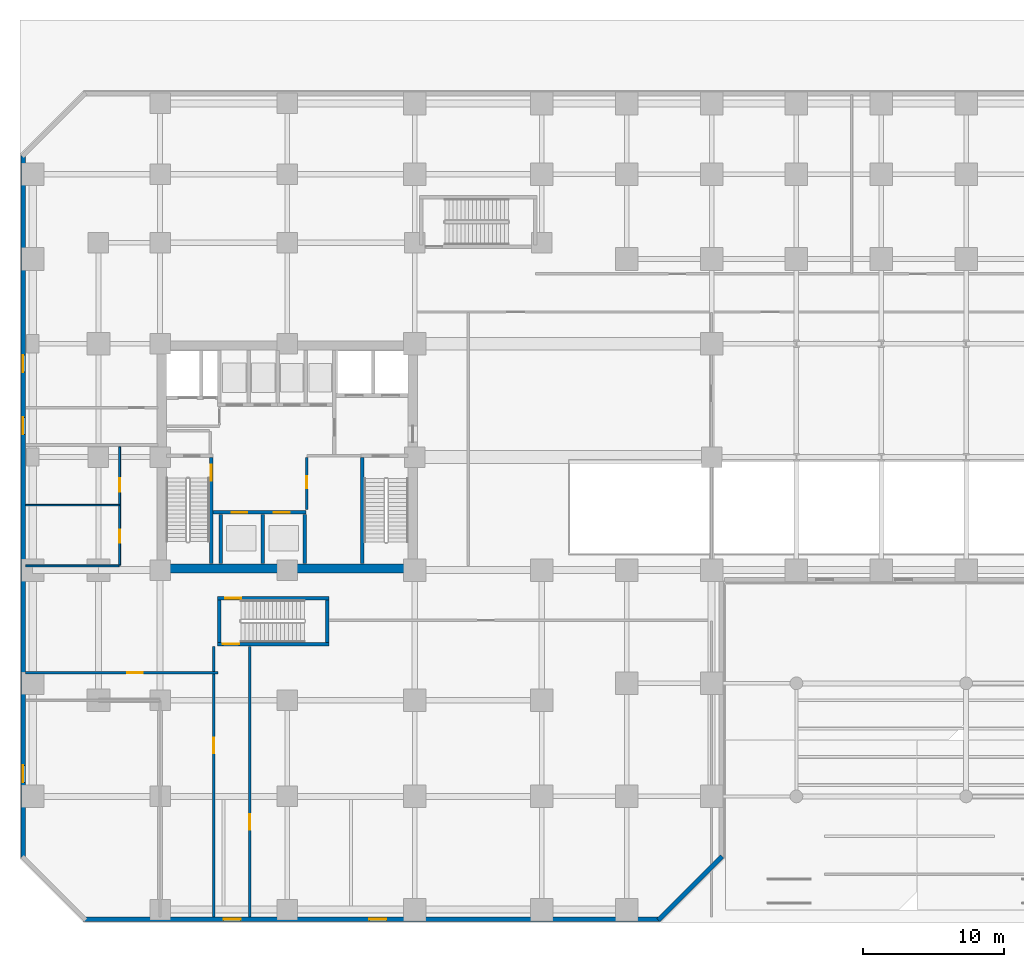
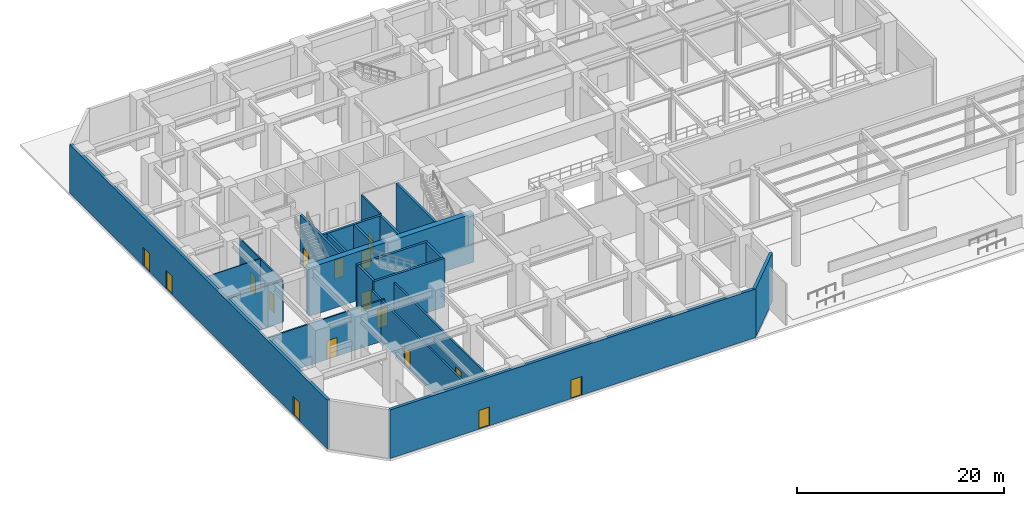
# One storey, part 4 of 13: 21 walls, 16 doors, 16 openings.
"""IFC4 building model written with IfcOpenShell, lengths in metres."""

from ifc_helpers import new_model, si_unit, direction, frame, frame_2d, origin, place, context, subcontext, project, spatial, rectangle, extrude, source, transform, mapped, material, layer, layer_set, type_object, element, fill, save


model = new_model("IFC4")

# Units and contexts
model_context = context("Model", 3, precision=1e-05, world=origin(), true_north=direction((0.0, 1.0)))
body_context = subcontext(model_context, "Body", "Model", "MODEL_VIEW")
ifc_project = project(units=[si_unit("LENGTHUNIT", "METRE"), si_unit("AREAUNIT", "SQUARE_METRE"), si_unit("VOLUMEUNIT", "CUBIC_METRE"), si_unit("PLANEANGLEUNIT", "RADIAN"), si_unit("MASSUNIT", "GRAM", prefix="KILO")], contexts=[model_context])

# Site, building, storey
site_placement = place(None, origin())
site = spatial("IfcSite", under=ifc_project, at=site_placement, CompositionType="ELEMENT")
building_placement = place(site_placement, origin())
building = spatial("IfcBuilding", under=site, at=building_placement, Name="Torre Montelarca", CompositionType="ELEMENT")
storey_placement = place(building_placement, origin())
storey = spatial("IfcBuildingStorey", under=building, at=storey_placement, Name="L01", CompositionType="ELEMENT", Elevation=0.0)

# Wall, opening, door
ifc_material_1 = material(Name="Concrete C40/50", Category="concrete")
ifc_layer_1 = layer(ifc_material_1, 0.25, Name="Concrete C40/50", Category="concrete")
ifc_layer_set_1 = layer_set([ifc_layer_1], Name="Concrete C40/50")
wall_type_1 = type_object("IfcWallType", Name="CW-SHAFT-250", PredefinedType="SHEAR", material=ifc_layer_set_1)
wall_1_placement = place(storey_placement, frame((12.625, 24.4599609375, 0.0), z_axis=(0.0, 0.0, 1.0), x_axis=(0.0, 1.0, 0.0)))
wall_1 = element("IfcWall", 1, at=wall_1_placement, inside=storey, type_object=wall_type_1, Name="L01 Core Shear Wall SH-ST1-E", PredefinedType="SHEAR", context=body_context, shape_type="SweptSolid", body=[
    extrude(rectangle(XDim=7.489990234375, YDim=0.25, at=frame_2d((3.7451171875, 0.0))), origin(), (0.0, 0.0, 1.0), 5.739990234375),
])
opening_1_placement = place(wall_1_placement, frame((5.85009765625, 0.0, 0.0)))
opening_1 = element("IfcOpeningElement", 2, at=opening_1_placement, cuts=wall_1, Name="Opening FD-ST1", PredefinedType="OPENING", context=body_context, shape_type="SweptSolid", body=[
    extrude(rectangle(XDim=1.14990234375, YDim=2.199951171875, at=frame_2d((0.574951171875, 1.10009765625))), frame((0.0, 0.135009765625, 0.0), z_axis=(0.0, -1.0, 0.0), x_axis=(1.0, 0.0, 0.0)), (0.0, 0.0, 1.0), 0.27001953125),
])
ifc_material_2 = material(Name="Galvanized steel fire door", Category="steel")
door_type_1 = type_object("IfcDoorType", Name="DR-STAIR-115", OperationType="NOTDEFINED", PredefinedType="DOOR", material=ifc_material_2)
shared_shape_1 = source(origin(), body_context, "Body", "SweptSolid", [
    extrude(rectangle(XDim=1.14990234375, YDim=2.199951171875, at=frame_2d((0.574951171875, 1.10009765625))), frame((0.0, 0.02490234375, 0.0), z_axis=(0.0, -1.0, 0.0), x_axis=(1.0, 0.0, 0.0)), (0.0, 0.0, 1.0), 0.050048828125),
])
door_1_placement = place(opening_1_placement, origin())
door_1 = element("IfcDoor", 3, at=door_1_placement, inside=storey, type_object=door_type_1, Name="L01 Exit Stair ST1 Fire Door", OperationType="SINGLE_SWING_RIGHT", OverallHeight=2.199951171875, OverallWidth=1.14990234375, PredefinedType="DOOR", context=body_context, shape_type="MappedRepresentation", body=[
    mapped(shared_shape_1, transform((0.0, 0.0, 0.0), scale=1.0)),
])
fill(opening_1, door_1)

# Wall
wall_2_placement = place(storey_placement, frame((23.31494140625, 24.4599609375, 0.0), z_axis=(0.0, 0.0, 1.0), x_axis=(0.0, 1.0, 0.0)))
element("IfcWall", 4, at=wall_2_placement, inside=storey, type_object=wall_type_1, Name="L01 Core Shear Wall SH-ST2-W", PredefinedType="SHEAR", context=body_context, shape_type="SweptSolid", body=[
    extrude(rectangle(XDim=7.489990234375, YDim=0.25, at=frame_2d((3.7451171875, 0.0))), origin(), (0.0, 0.0, 1.0), 5.739990234375),
])

# Wall, openings, doors
wall_3_placement = place(storey_placement, frame((12.6298828125, 28.080078125, 0.0), z_axis=(0.0, 0.0, 1.0), x_axis=(1.0, 0.0, 0.0)))
wall_3 = element("IfcWall", 5, at=wall_3_placement, inside=storey, type_object=wall_type_1, Name="L01 Core Shear Wall SH-PLL-N", PredefinedType="SHEAR", context=body_context, shape_type="SweptSolid", body=[
    extrude(rectangle(XDim=6.710205078125, YDim=0.25, at=frame_2d((3.35498046875, 0.0))), origin(), (0.0, 0.0, 1.0), 5.739990234375),
])
opening_2_placement = place(wall_3_placement, frame((1.429931640625, 0.0, 0.0)))
opening_2 = element("IfcOpeningElement", 6, at=opening_2_placement, cuts=wall_3, Name="Opening LD-110", PredefinedType="OPENING", context=body_context, shape_type="SweptSolid", body=[
    extrude(rectangle(XDim=1.10009765625, YDim=2.199951171875, at=frame_2d((0.550048828125, 1.10009765625))), frame((0.0, 0.135009765625, 0.0), z_axis=(0.0, -1.0, 0.0), x_axis=(1.0, 0.0, 0.0)), (0.0, 0.0, 1.0), 0.27001953125),
])
opening_3_placement = place(wall_3_placement, frame((4.429931640625, 0.0, 0.0)))
opening_3 = element("IfcOpeningElement", 7, at=opening_3_placement, cuts=wall_3, Name="Opening LD-110", PredefinedType="OPENING", context=body_context, shape_type="SweptSolid", body=[
    extrude(rectangle(XDim=1.10009765625, YDim=2.199951171875, at=frame_2d((0.550048828125, 1.10009765625))), frame((0.0, 0.135009765625, 0.0), z_axis=(0.0, -1.0, 0.0), x_axis=(1.0, 0.0, 0.0)), (0.0, 0.0, 1.0), 0.27001953125),
])
ifc_material_3 = material(Name="Brushed stainless steel AISI 316", Category="steel")
door_type_2 = type_object("IfcDoorType", Name="DR-LIFT-110", OperationType="SLIDING_TO_LEFT", PredefinedType="DOOR", material=ifc_material_3)
shared_shape_2 = source(origin(), body_context, "Body", "SweptSolid", [
    extrude(rectangle(XDim=1.10009765625, YDim=2.199951171875, at=frame_2d((0.550048828125, 1.10009765625))), frame((0.0, 0.02490234375, 0.0), z_axis=(0.0, -1.0, 0.0), x_axis=(1.0, 0.0, 0.0)), (0.0, 0.0, 1.0), 0.050048828125),
])
door_2_placement = place(opening_2_placement, origin())
door_2 = element("IfcDoor", 8, at=door_2_placement, inside=storey, type_object=door_type_2, Name="L01 Lift Landing Sliding Door PL-L1", OperationType="SLIDING_TO_LEFT", OverallHeight=2.199951171875, OverallWidth=1.10009765625, PredefinedType="DOOR", context=body_context, shape_type="MappedRepresentation", body=[
    mapped(shared_shape_2, transform((0.0, 0.0, 0.0), scale=1.0)),
])
fill(opening_2, door_2)
door_3_placement = place(opening_3_placement, origin())
door_3 = element("IfcDoor", 9, at=door_3_placement, inside=storey, type_object=door_type_2, Name="L01 Lift Landing Sliding Door PL-L2", OperationType="SLIDING_TO_RIGHT", OverallHeight=2.199951171875, OverallWidth=1.10009765625, PredefinedType="DOOR", context=body_context, shape_type="MappedRepresentation", body=[
    mapped(shared_shape_2, transform((0.0, 0.0, 0.0), scale=1.0)),
])
fill(opening_3, door_3)

# Walls
for number, where, z_axis, x_axis, name in (
    (10, (13.280029296875, 24.4599609375, 0.0), (0.0, 0.0, 1.0), (0.0, 1.0, 0.0), "L01 Core Shear Wall SH-PLL-W"),
    (11, (16.25, 24.4599609375, 0.0), (0.0, 0.0, 1.0), (0.0, 1.0, 0.0), "L01 Core Shear Wall SH-PLL-M"),
    (12, (19.219970703125, 24.4599609375, 0.0), (0.0, 0.0, 1.0), (0.0, 1.0, 0.0), "L01 Core Shear Wall SH-PLL-E"),
):
    element("IfcWall", number, at=place(storey_placement, frame(where, z_axis=z_axis, x_axis=x_axis)), inside=storey, type_object=wall_type_1, Name=name, PredefinedType="SHEAR", context=body_context, shape_type="SweptSolid", body=[
        extrude(rectangle(XDim=3.489990234375, YDim=0.25, at=frame_2d((1.7451171875, 0.0))), origin(), (0.0, 0.0, 1.0), 5.739990234375),
    ])
for number, where, z_axis, x_axis, name in (
    (13, (13.175048828125, 18.89990234375, 0.0), (0.0, 0.0, 1.0), (0.0, 1.0, 0.0), "L01 Core Shear Wall SH-ST3-W"),
    (14, (20.824951171875, 18.89990234375, 0.0), (0.0, 0.0, 1.0), (0.0, 1.0, 0.0), "L01 Core Shear Wall SH-ST3-E"),
):
    element("IfcWall", number, at=place(storey_placement, frame(where, z_axis=z_axis, x_axis=x_axis)), inside=storey, type_object=wall_type_1, Name=name, PredefinedType="SHEAR", context=body_context, shape_type="SweptSolid", body=[
        extrude(rectangle(XDim=2.989990234375, YDim=0.25, at=frame_2d((1.4951171875, 0.0))), origin(), (0.0, 0.0, 1.0), 5.739990234375),
    ])

# Wall, opening, door
wall_4_placement = place(storey_placement, frame((13.050048828125, 18.77490234375, 0.0), z_axis=(0.0, 0.0, 1.0), x_axis=(1.0, 0.0, 0.0)))
wall_4 = element("IfcWall", 15, at=wall_4_placement, inside=storey, type_object=wall_type_1, Name="L01 Core Shear Wall SH-ST3-S", PredefinedType="SHEAR", context=body_context, shape_type="SweptSolid", body=[
    extrude(rectangle(XDim=7.89990234375, YDim=0.25, at=frame_2d((3.949951171875, 0.0))), origin(), (0.0, 0.0, 1.0), 5.739990234375),
])
opening_4_placement = place(wall_4_placement, frame((0.39990234375, 0.0, 0.0)))
opening_4 = element("IfcOpeningElement", 16, at=opening_4_placement, cuts=wall_4, Name="Opening FD-ST1", PredefinedType="OPENING", context=body_context, shape_type="SweptSolid", body=[
    extrude(rectangle(XDim=1.14990234375, YDim=2.199951171875, at=frame_2d((0.574951171875, 1.10009765625))), frame((0.0, 0.135009765625, 0.0), z_axis=(0.0, -1.0, 0.0), x_axis=(1.0, 0.0, 0.0)), (0.0, 0.0, 1.0), 0.27001953125),
])
door_4_placement = place(opening_4_placement, origin())
door_4 = element("IfcDoor", 17, at=door_4_placement, inside=storey, type_object=door_type_1, Name="L01 Exit Stair ST3 Protected Discharge Door", OperationType="SINGLE_SWING_RIGHT", OverallHeight=2.199951171875, OverallWidth=1.14990234375, PredefinedType="DOOR", context=body_context, shape_type="MappedRepresentation", body=[
    mapped(shared_shape_1, transform((0.0, 0.0, 0.0), scale=1.0)),
])
fill(opening_4, door_4)

wall_5_placement = place(storey_placement, frame((13.050048828125, 22.014892578125, 0.0), z_axis=(0.0, 0.0, 1.0), x_axis=(1.0, 0.0, 0.0)))
wall_5 = element("IfcWall", 18, at=wall_5_placement, inside=storey, type_object=wall_type_1, Name="L01 Core Shear Wall SH-ST3-N", PredefinedType="SHEAR", context=body_context, shape_type="SweptSolid", body=[
    extrude(rectangle(XDim=7.89990234375, YDim=0.25, at=frame_2d((3.949951171875, 0.0))), origin(), (0.0, 0.0, 1.0), 5.739990234375),
])
opening_5_placement = place(wall_5_placement, frame((0.550048828125, 0.0, 0.0)))
opening_5 = element("IfcOpeningElement", 19, at=opening_5_placement, cuts=wall_5, Name="Opening FD-ST1", PredefinedType="OPENING", context=body_context, shape_type="SweptSolid", body=[
    extrude(rectangle(XDim=1.14990234375, YDim=2.199951171875, at=frame_2d((0.574951171875, 1.10009765625))), frame((0.0, 0.135009765625, 0.0), z_axis=(0.0, -1.0, 0.0), x_axis=(1.0, 0.0, 0.0)), (0.0, 0.0, 1.0), 0.27001953125),
])
door_5_placement = place(opening_5_placement, origin())
door_5 = element("IfcDoor", 20, at=door_5_placement, inside=storey, type_object=door_type_1, Name="L01 Exit Stair ST3 Fire Door", OperationType="SINGLE_SWING_LEFT", OverallHeight=2.199951171875, OverallWidth=1.14990234375, PredefinedType="DOOR", context=body_context, shape_type="MappedRepresentation", body=[
    mapped(shared_shape_1, transform((0.0, 0.0, 0.0), scale=1.0)),
])
fill(opening_5, door_5)

# Wall
ifc_material_4 = material(Name="Concrete C70/85", Category="concrete")
ifc_layer_2 = layer(ifc_material_4, 0.64990234375, Name="Concrete C70/85", Category="concrete")
ifc_layer_set_2 = layer_set([ifc_layer_2], Name="Concrete C70/85")
wall_type_2 = type_object("IfcWallType", Name="CW-SHEAR-650", PredefinedType="SHEAR", material=ifc_layer_set_2)
wall_6_placement = place(storey_placement, frame((8.800048828125, 24.125, 0.0), z_axis=(0.0, 0.0, 1.0), x_axis=(1.0, 0.0, 0.0)))
element("IfcWall", 21, at=wall_6_placement, inside=storey, type_object=wall_type_2, Name="L01 Core Shear Wall CW-S1", PredefinedType="SHEAR", context=body_context, shape_type="SweptSolid", body=[
    extrude(rectangle(XDim=18.39990234375, YDim=0.64990234375, at=frame_2d((9.199951171875, 0.0))), origin(), (0.0, 0.0, 1.0), 5.739990234375),
])

# Wall, openings, doors
ifc_material_5 = material(Name="Precast concrete C45/55", Category="concrete")
ifc_layer_3 = layer(ifc_material_5, 0.320068359375, Name="Precast concrete C45/55", Category="concrete")
ifc_layer_set_3 = layer_set([ifc_layer_3], Name="Precast concrete C45/55")
wall_type_3 = type_object("IfcWallType", Name="EW-CONC-320", PredefinedType="SOLIDWALL", material=ifc_layer_set_3)
wall_7_placement = place(storey_placement, frame((44.39990234375, -0.679931640625, 0.0), z_axis=(0.0, 0.0, 1.0), x_axis=(-1.0, 0.0, 0.0)))
wall_7 = element("IfcWall", 22, at=wall_7_placement, inside=storey, type_object=wall_type_3, Name="L01 Podium Precast Concrete Wall E01", PredefinedType="SOLIDWALL", context=body_context, shape_type="SweptSolid", body=[
    extrude(rectangle(XDim=40.7998046875, YDim=0.320068359375, at=frame_2d((20.39990234375, 0.0))), origin(), (0.0, 0.0, 1.0), 5.739990234375),
])
opening_6_placement = place(wall_7_placement, frame((29.699951171875, 0.0, 0.0)))
opening_6 = element("IfcOpeningElement", 23, at=opening_6_placement, cuts=wall_7, Name="Opening ED-02", PredefinedType="OPENING", context=body_context, shape_type="SweptSolid", body=[
    extrude(rectangle(XDim=1.199951171875, YDim=2.199951171875, at=frame_2d((0.60009765625, 1.10009765625))), frame((0.0, 0.169921875, 0.0), z_axis=(0.0, -1.0, 0.0), x_axis=(1.0, 0.0, 0.0)), (0.0, 0.0, 1.0), 0.340087890625),
])
opening_7_placement = place(wall_7_placement, frame((19.39990234375, 0.0, 0.0)))
opening_7 = element("IfcOpeningElement", 24, at=opening_7_placement, cuts=wall_7, Name="Opening ED-02", PredefinedType="OPENING", context=body_context, shape_type="SweptSolid", body=[
    extrude(rectangle(XDim=1.199951171875, YDim=2.199951171875, at=frame_2d((0.60009765625, 1.10009765625))), frame((0.0, 0.169921875, 0.0), z_axis=(0.0, -1.0, 0.0), x_axis=(1.0, 0.0, 0.0)), (0.0, 0.0, 1.0), 0.340087890625),
])
ifc_material_6 = material(Name="Powder-coated galvanized steel and safety glass", Category="steel")
door_type_3 = type_object("IfcDoorType", Name="DR-EXT-EXIT", OperationType="NOTDEFINED", PredefinedType="DOOR", material=ifc_material_6)
shared_shape_3 = source(origin(), body_context, "Body", "SweptSolid", [
    extrude(rectangle(XDim=1.199951171875, YDim=2.199951171875, at=frame_2d((0.60009765625, 1.10009765625))), frame((0.0, 0.02490234375, 0.0), z_axis=(0.0, -1.0, 0.0), x_axis=(1.0, 0.0, 0.0)), (0.0, 0.0, 1.0), 0.050048828125),
])
door_6_placement = place(opening_6_placement, origin())
door_6 = element("IfcDoor", 25, at=door_6_placement, inside=storey, type_object=door_type_3, Name="L01 ST3 Protected Passageway Exterior Exit Door", OperationType="SINGLE_SWING_LEFT", OverallHeight=2.199951171875, OverallWidth=1.199951171875, PredefinedType="DOOR", context=body_context, shape_type="MappedRepresentation", body=[
    mapped(shared_shape_3, transform((0.0, 0.0, 0.0), scale=1.0)),
])
fill(opening_6, door_6)
door_7_placement = place(opening_7_placement, origin())
door_7 = element("IfcDoor", 26, at=door_7_placement, inside=storey, type_object=door_type_3, Name="L01 Retail Plaza Entrance Door", OperationType="SINGLE_SWING_RIGHT", OverallHeight=2.199951171875, OverallWidth=1.199951171875, PredefinedType="DOOR", context=body_context, shape_type="MappedRepresentation", body=[
    mapped(shared_shape_3, transform((0.0, 0.0, 0.0), scale=1.0)),
])
fill(opening_7, door_7)

# Wall
wall_8_placement = place(storey_placement, frame((44.244384765625, -0.744384765625, 0.0), z_axis=(0.0, 0.0, 1.0), x_axis=(0.707106781187, 0.707106781187, 0.0)))
element("IfcWall", 27, at=wall_8_placement, inside=storey, type_object=wall_type_3, Name="L01 Podium Precast Concrete Wall E02", PredefinedType="SOLIDWALL", context=body_context, shape_type="SweptSolid", body=[
    extrude(rectangle(XDim=6.364013671875, YDim=0.320068359375, at=frame_2d((3.18212890625, 0.0))), origin(), (0.0, 0.0, 1.0), 5.739990234375),
])

# Wall, openings, doors
wall_9_placement = place(storey_placement, frame((-0.679931640625, 3.60009765625, 0.0), z_axis=(0.0, 0.0, 1.0), x_axis=(0.0, 1.0, 0.0)))
wall_9 = element("IfcWall", 28, at=wall_9_placement, inside=storey, type_object=wall_type_3, Name="L01 Podium Precast Concrete Wall E10", PredefinedType="SOLIDWALL", context=body_context, shape_type="SweptSolid", body=[
    extrude(rectangle(XDim=49.7998046875, YDim=0.320068359375, at=frame_2d((24.89990234375, 0.0))), origin(), (0.0, 0.0, 1.0), 5.739990234375),
])
opening_8_placement = place(wall_9_placement, frame((34.39990234375, 0.0, 0.0)))
opening_8 = element("IfcOpeningElement", 29, at=opening_8_placement, cuts=wall_9, Name="Opening ED-02", PredefinedType="OPENING", context=body_context, shape_type="SweptSolid", body=[
    extrude(rectangle(XDim=1.199951171875, YDim=2.199951171875, at=frame_2d((0.60009765625, 1.10009765625))), frame((0.0, 0.169921875, 0.0), z_axis=(0.0, -1.0, 0.0), x_axis=(1.0, 0.0, 0.0)), (0.0, 0.0, 1.0), 0.340087890625),
])
opening_9_placement = place(wall_9_placement, frame((30.0, 0.0, 0.0)))
opening_9 = element("IfcOpeningElement", 30, at=opening_9_placement, cuts=wall_9, Name="Opening ED-02", PredefinedType="OPENING", context=body_context, shape_type="SweptSolid", body=[
    extrude(rectangle(XDim=1.199951171875, YDim=2.199951171875, at=frame_2d((0.60009765625, 1.10009765625))), frame((0.0, 0.169921875, 0.0), z_axis=(0.0, -1.0, 0.0), x_axis=(1.0, 0.0, 0.0)), (0.0, 0.0, 1.0), 0.340087890625),
])
opening_10_placement = place(wall_9_placement, frame((5.39990234375, 0.0, 0.0)))
opening_10 = element("IfcOpeningElement", 31, at=opening_10_placement, cuts=wall_9, Name="Opening ED-02", PredefinedType="OPENING", context=body_context, shape_type="SweptSolid", body=[
    extrude(rectangle(XDim=1.199951171875, YDim=2.199951171875, at=frame_2d((0.60009765625, 1.10009765625))), frame((0.0, 0.169921875, 0.0), z_axis=(0.0, -1.0, 0.0), x_axis=(1.0, 0.0, 0.0)), (0.0, 0.0, 1.0), 0.340087890625),
])
door_8_placement = place(opening_8_placement, origin())
door_8 = element("IfcDoor", 32, at=door_8_placement, inside=storey, type_object=door_type_3, Name="L01 Fire Command Centre Direct Exterior Door", OperationType="SINGLE_SWING_LEFT", OverallHeight=2.199951171875, OverallWidth=1.199951171875, PredefinedType="DOOR", context=body_context, shape_type="MappedRepresentation", body=[
    mapped(shared_shape_3, transform((0.0, 0.0, 0.0), scale=1.0)),
])
fill(opening_8, door_8)
door_9_placement = place(opening_9_placement, origin())
door_9 = element("IfcDoor", 33, at=door_9_placement, inside=storey, type_object=door_type_3, Name="L01 ST1 Protected Passageway Exterior Exit Door", OperationType="SINGLE_SWING_LEFT", OverallHeight=2.199951171875, OverallWidth=1.199951171875, PredefinedType="DOOR", context=body_context, shape_type="MappedRepresentation", body=[
    mapped(shared_shape_3, transform((0.0, 0.0, 0.0), scale=1.0)),
])
fill(opening_9, door_9)
door_10_placement = place(opening_10_placement, origin())
door_10 = element("IfcDoor", 34, at=door_10_placement, inside=storey, type_object=door_type_3, Name="L01 Bookstore & Cafe Street Entrance Door", OperationType="SINGLE_SWING_LEFT", OverallHeight=2.199951171875, OverallWidth=1.199951171875, PredefinedType="DOOR", context=body_context, shape_type="MappedRepresentation", body=[
    mapped(shared_shape_3, transform((0.0, 0.0, 0.0), scale=1.0)),
])
fill(opening_10, door_10)

# Wall, opening, door
ifc_material_7 = material(Name="Gypsum plasterboard on steel stud", Category="steel")
ifc_layer_4 = layer(ifc_material_7, 0.159912109375, Name="Gypsum plasterboard on steel stud", Category="steel")
ifc_layer_set_4 = layer_set([ifc_layer_4], Name="Gypsum plasterboard on steel stud")
wall_type_4 = type_object("IfcWallType", Name="PW-FIRE-160", PredefinedType="PARTITIONING", material=ifc_layer_set_4)
wall_10_placement = place(storey_placement, frame((19.3798828125, 28.2900390625, 0.0), z_axis=(0.0, 0.0, 1.0), x_axis=(0.0, 1.0, 0.0)))
wall_10 = element("IfcWall", 35, at=wall_10_placement, inside=storey, type_object=wall_type_4, Name="L01 Interior Partition CW-L01-SEW", PredefinedType="PARTITIONING", context=body_context, shape_type="SweptSolid", body=[
    extrude(rectangle(XDim=3.669921875, YDim=0.159912109375, at=frame_2d((1.8349609375, 0.0))), origin(), (0.0, 0.0, 1.0), 5.739990234375),
])
opening_11_placement = place(wall_10_placement, frame((1.5, 0.0, 0.0)))
opening_11 = element("IfcOpeningElement", 36, at=opening_11_placement, cuts=wall_10, Name="Opening FD-085", PredefinedType="OPENING", context=body_context, shape_type="SweptSolid", body=[
    extrude(rectangle(XDim=0.85009765625, YDim=2.10009765625, at=frame_2d((0.425048828125, 1.050048828125))), frame((0.0, 0.08984375, 0.0), z_axis=(0.0, -1.0, 0.0), x_axis=(1.0, 0.0, 0.0)), (0.0, 0.0, 1.0), 0.179931640625),
])
ifc_material_8 = material(Name="Steel riser access fire door", Category="steel")
door_type_4 = type_object("IfcDoorType", Name="DR-RISER-085", OperationType="NOTDEFINED", PredefinedType="DOOR", material=ifc_material_8)
shared_shape_4 = source(origin(), body_context, "Body", "SweptSolid", [
    extrude(rectangle(XDim=0.85009765625, YDim=2.10009765625, at=frame_2d((0.425048828125, 1.050048828125))), frame((0.0, 0.02490234375, 0.0), z_axis=(0.0, -1.0, 0.0), x_axis=(1.0, 0.0, 0.0)), (0.0, 0.0, 1.0), 0.050048828125),
])
door_11_placement = place(opening_11_placement, origin())
door_11 = element("IfcDoor", 37, at=door_11_placement, inside=storey, type_object=door_type_4, Name="L01 Interior Door 02", OperationType="SINGLE_SWING_RIGHT", OverallHeight=2.10009765625, OverallWidth=0.85009765625, PredefinedType="DOOR", context=body_context, shape_type="MappedRepresentation", body=[
    mapped(shared_shape_4, transform((0.0, 0.0, 0.0), scale=1.0)),
])
fill(opening_11, door_11)

wall_11_placement = place(storey_placement, frame((-0.510009765625, 16.75, 0.0), z_axis=(0.0, 0.0, 1.0), x_axis=(1.0, 0.0, 0.0)))
wall_11 = element("IfcWall", 38, at=wall_11_placement, inside=storey, type_object=wall_type_4, Name="L01 Interior Partition W-L01-CSW", PredefinedType="PARTITIONING", context=body_context, shape_type="SweptSolid", body=[
    extrude(rectangle(XDim=13.6201171875, YDim=0.159912109375, at=frame_2d((6.81005859375, 0.0))), origin(), (0.0, 0.0, 1.0), 4.869384765625),
])
opening_12_placement = place(wall_11_placement, frame((7.199951171875, 0.0, 0.0)))
opening_12 = element("IfcOpeningElement", 39, at=opening_12_placement, cuts=wall_11, Name="Opening FD-110", PredefinedType="OPENING", context=body_context, shape_type="SweptSolid", body=[
    extrude(rectangle(XDim=1.10009765625, YDim=2.199951171875, at=frame_2d((0.550048828125, 1.10009765625))), frame((0.0, 0.08984375, 0.0), z_axis=(0.0, -1.0, 0.0), x_axis=(1.0, 0.0, 0.0)), (0.0, 0.0, 1.0), 0.179931640625),
])
ifc_material_9 = material(Name="Timber fire-rated suite door", Category="wood")
door_type_5 = type_object("IfcDoorType", Name="DR-FIRE-110", OperationType="NOTDEFINED", PredefinedType="DOOR", material=ifc_material_9)
shared_shape_5 = source(origin(), body_context, "Body", "SweptSolid", [
    extrude(rectangle(XDim=1.10009765625, YDim=2.199951171875, at=frame_2d((0.550048828125, 1.10009765625))), frame((0.0, 0.02490234375, 0.0), z_axis=(0.0, -1.0, 0.0), x_axis=(1.0, 0.0, 0.0)), (0.0, 0.0, 1.0), 0.050048828125),
])
door_12_placement = place(opening_12_placement, origin())
door_12 = element("IfcDoor", 40, at=door_12_placement, inside=storey, type_object=door_type_5, Name="L01 Interior Door 05", OperationType="SINGLE_SWING_LEFT", OverallHeight=2.199951171875, OverallWidth=1.10009765625, PredefinedType="DOOR", context=body_context, shape_type="MappedRepresentation", body=[
    mapped(shared_shape_5, transform((0.0, 0.0, 0.0), scale=1.0)),
])
fill(opening_12, door_12)

ifc_material_10 = material(Name="Gypsum fireboard and rockwool on steel stud", Category="steel")
ifc_layer_5 = layer(ifc_material_10, 0.199951171875, Name="Gypsum fireboard and rockwool on steel stud", Category="steel")
ifc_layer_set_5 = layer_set([ifc_layer_5], Name="Gypsum fireboard and rockwool on steel stud")
wall_type_5 = type_object("IfcWallType", Name="PW-FIRE-200", PredefinedType="SOLIDWALL", material=ifc_layer_set_5)
wall_12_placement = place(storey_placement, frame((12.800048828125, -0.510009765625, 0.0), z_axis=(0.0, 0.0, 1.0), x_axis=(0.0, 1.0, 0.0)))
wall_12 = element("IfcWall", 41, at=wall_12_placement, inside=storey, type_object=wall_type_5, Name="L01 Interior Partition W-L01-EXPS-W", PredefinedType="SOLIDWALL", context=body_context, shape_type="SweptSolid", body=[
    extrude(rectangle(XDim=19.1201171875, YDim=0.199951171875, at=frame_2d((9.56005859375, 0.0))), origin(), (0.0, 0.0, 1.0), 4.869384765625),
])
opening_13_placement = place(wall_12_placement, frame((11.550048828125, 0.0, 0.0)))
opening_13 = element("IfcOpeningElement", 42, at=opening_13_placement, cuts=wall_12, Name="Opening FD-110", PredefinedType="OPENING", context=body_context, shape_type="SweptSolid", body=[
    extrude(rectangle(XDim=1.10009765625, YDim=2.199951171875, at=frame_2d((0.550048828125, 1.10009765625))), frame((0.0, 0.10986328125, 0.0), z_axis=(0.0, -1.0, 0.0), x_axis=(1.0, 0.0, 0.0)), (0.0, 0.0, 1.0), 0.219970703125),
])
door_13_placement = place(opening_13_placement, origin())
door_13 = element("IfcDoor", 43, at=door_13_placement, inside=storey, type_object=door_type_5, Name="L01 Interior Door 15", OperationType="SINGLE_SWING_LEFT", OverallHeight=2.199951171875, OverallWidth=1.10009765625, PredefinedType="DOOR", context=body_context, shape_type="MappedRepresentation", body=[
    mapped(shared_shape_5, transform((0.0, 0.0, 0.0), scale=1.0)),
])
fill(opening_13, door_13)

wall_13_placement = place(storey_placement, frame((15.35009765625, -0.510009765625, 0.0), z_axis=(0.0, 0.0, 1.0), x_axis=(0.0, 1.0, 0.0)))
wall_13 = element("IfcWall", 44, at=wall_13_placement, inside=storey, type_object=wall_type_5, Name="L01 Interior Partition W-L01-EXPS-E", PredefinedType="SOLIDWALL", context=body_context, shape_type="SweptSolid", body=[
    extrude(rectangle(XDim=19.1201171875, YDim=0.199951171875, at=frame_2d((9.56005859375, 0.0))), origin(), (0.0, 0.0, 1.0), 4.869384765625),
])
opening_14_placement = place(wall_13_placement, frame((6.14990234375, 0.0, 0.0)))
opening_14 = element("IfcOpeningElement", 45, at=opening_14_placement, cuts=wall_13, Name="Opening FD-110", PredefinedType="OPENING", context=body_context, shape_type="SweptSolid", body=[
    extrude(rectangle(XDim=1.10009765625, YDim=2.199951171875, at=frame_2d((0.550048828125, 1.10009765625))), frame((0.0, 0.10986328125, 0.0), z_axis=(0.0, -1.0, 0.0), x_axis=(1.0, 0.0, 0.0)), (0.0, 0.0, 1.0), 0.219970703125),
])
door_14_placement = place(opening_14_placement, origin())
door_14 = element("IfcDoor", 46, at=door_14_placement, inside=storey, type_object=door_type_5, Name="L01 Interior Door 16", OperationType="SINGLE_SWING_RIGHT", OverallHeight=2.199951171875, OverallWidth=1.10009765625, PredefinedType="DOOR", context=body_context, shape_type="MappedRepresentation", body=[
    mapped(shared_shape_5, transform((0.0, 0.0, 0.0), scale=1.0)),
])
fill(opening_14, door_14)

# Walls
ifc_material_11 = material(Name="Acoustic laminated glass partition", Category="glass")
ifc_layer_6 = layer(ifc_material_11, 0.10009765625, Name="Acoustic laminated glass partition", Category="glass")
ifc_layer_set_6 = layer_set([ifc_layer_6], Name="Acoustic laminated glass partition")
wall_type_6 = type_object("IfcWallType", Name="PW-GLAZ-100", PredefinedType="PARTITIONING", material=ifc_layer_set_6)
wall_14_placement = place(storey_placement, frame((-0.510009765625, 28.60009765625, 0.0), z_axis=(0.0, 0.0, 1.0), x_axis=(1.0, 0.0, 0.0)))
element("IfcWall", 47, at=wall_14_placement, inside=storey, type_object=wall_type_6, Name="L01 Interior Partition W-L01-WC1", PredefinedType="PARTITIONING", context=body_context, shape_type="SweptSolid", body=[
    extrude(rectangle(XDim=6.6201171875, YDim=0.10009765625, at=frame_2d((3.31005859375, 0.0))), origin(), (0.0, 0.0, 1.0), 4.875),
])
ifc_layer_7 = layer(ifc_material_7, 0.135009765625, Name="Gypsum plasterboard on steel stud", Category="steel")
ifc_layer_set_7 = layer_set([ifc_layer_7], Name="Gypsum plasterboard on steel stud")
wall_type_7 = type_object("IfcWallType", Name="PW-PART-135", PredefinedType="PARTITIONING", material=ifc_layer_set_7)
wall_15_placement = place(storey_placement, frame((-0.510009765625, 24.300048828125, 0.0), z_axis=(0.0, 0.0, 1.0), x_axis=(1.0, 0.0, 0.0)))
element("IfcWall", 48, at=wall_15_placement, inside=storey, type_object=wall_type_7, Name="L01 Interior Partition W-L01-WCS", PredefinedType="PARTITIONING", context=body_context, shape_type="SweptSolid", body=[
    extrude(rectangle(XDim=6.6201171875, YDim=0.135009765625, at=frame_2d((3.31005859375, 0.0))), origin(), (0.0, 0.0, 1.0), 4.869384765625),
])

# Wall, openings, doors
wall_16_placement = place(storey_placement, frame((6.14990234375, 24.340087890625, 0.0), z_axis=(0.0, 0.0, 1.0), x_axis=(0.0, 1.0, 0.0)))
wall_16 = element("IfcWall", 49, at=wall_16_placement, inside=storey, type_object=wall_type_7, Name="L01 Interior Partition W-L01-WCE", PredefinedType="PARTITIONING", context=body_context, shape_type="SweptSolid", body=[
    extrude(rectangle(XDim=8.369873046875, YDim=0.135009765625, at=frame_2d((4.18505859375, 0.0))), origin(), (0.0, 0.0, 1.0), 4.875),
])
opening_15_placement = place(wall_16_placement, frame((1.60009765625, 0.0, 0.0)))
opening_15 = element("IfcOpeningElement", 50, at=opening_15_placement, cuts=wall_16, Name="Opening ID-090", PredefinedType="OPENING", context=body_context, shape_type="SweptSolid", body=[
    extrude(rectangle(XDim=0.89990234375, YDim=2.14990234375, at=frame_2d((0.449951171875, 1.074951171875))), frame((0.0, 0.07763671875, 0.0), z_axis=(0.0, -1.0, 0.0), x_axis=(1.0, 0.0, 0.0)), (0.0, 0.0, 1.0), 0.155029296875),
])
opening_16_placement = place(wall_16_placement, frame((5.199951171875, 0.0, 0.0)))
opening_16 = element("IfcOpeningElement", 51, at=opening_16_placement, cuts=wall_16, Name="Opening ID-095", PredefinedType="OPENING", context=body_context, shape_type="SweptSolid", body=[
    extrude(rectangle(XDim=0.949951171875, YDim=2.14990234375, at=frame_2d((0.47509765625, 1.074951171875))), frame((0.0, 0.07763671875, 0.0), z_axis=(0.0, -1.0, 0.0), x_axis=(1.0, 0.0, 0.0)), (0.0, 0.0, 1.0), 0.155029296875),
])
ifc_material_12 = material(Name="Hardwood acoustic timber veneer", Category="wood")
door_type_6 = type_object("IfcDoorType", Name="DR-INT-090", OperationType="NOTDEFINED", PredefinedType="DOOR", material=ifc_material_12)
shared_shape_6 = source(origin(), body_context, "Body", "SweptSolid", [
    extrude(rectangle(XDim=0.89990234375, YDim=2.14990234375, at=frame_2d((0.449951171875, 1.074951171875))), frame((0.0, 0.02490234375, 0.0), z_axis=(0.0, -1.0, 0.0), x_axis=(1.0, 0.0, 0.0)), (0.0, 0.0, 1.0), 0.050048828125),
])
door_15_placement = place(opening_15_placement, origin())
door_15 = element("IfcDoor", 52, at=door_15_placement, inside=storey, type_object=door_type_6, Name="L01 Interior Door 03", OperationType="SINGLE_SWING_LEFT", OverallHeight=2.14990234375, OverallWidth=0.89990234375, PredefinedType="DOOR", context=body_context, shape_type="MappedRepresentation", body=[
    mapped(shared_shape_6, transform((0.0, 0.0, 0.0), scale=1.0)),
])
fill(opening_15, door_15)
door_type_7 = type_object("IfcDoorType", Name="DR-INT-095", OperationType="NOTDEFINED", PredefinedType="DOOR", material=ifc_material_12)
shared_shape_7 = source(origin(), body_context, "Body", "SweptSolid", [
    extrude(rectangle(XDim=0.949951171875, YDim=2.14990234375, at=frame_2d((0.47509765625, 1.074951171875))), frame((0.0, 0.02490234375, 0.0), z_axis=(0.0, -1.0, 0.0), x_axis=(1.0, 0.0, 0.0)), (0.0, 0.0, 1.0), 0.050048828125),
])
door_16_placement = place(opening_16_placement, origin())
door_16 = element("IfcDoor", 53, at=door_16_placement, inside=storey, type_object=door_type_7, Name="L01 Interior Door 04", OperationType="SINGLE_SWING_RIGHT", OverallHeight=2.14990234375, OverallWidth=0.949951171875, PredefinedType="DOOR", context=body_context, shape_type="MappedRepresentation", body=[
    mapped(shared_shape_7, transform((0.0, 0.0, 0.0), scale=1.0)),
])
fill(opening_16, door_16)

save(model, "model.ifc")
